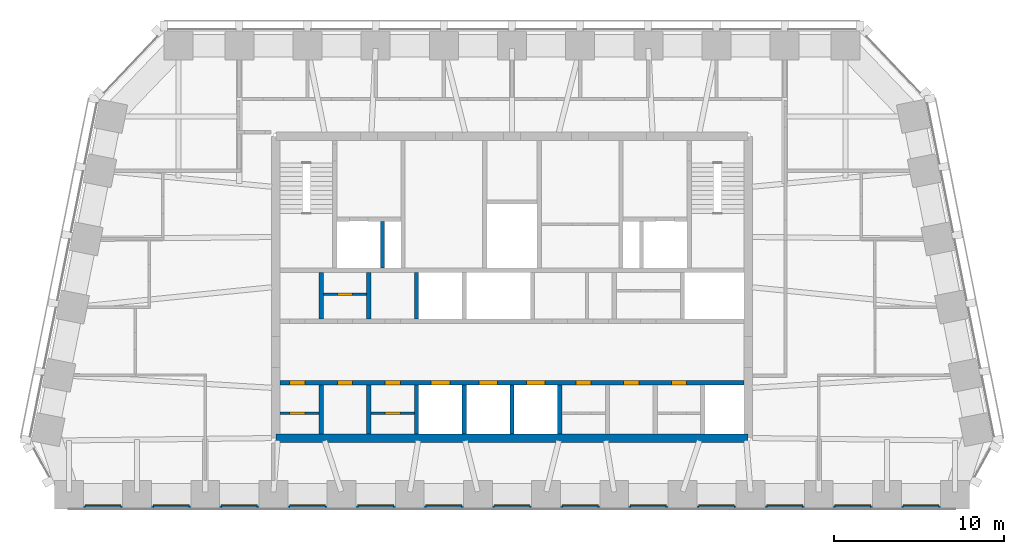
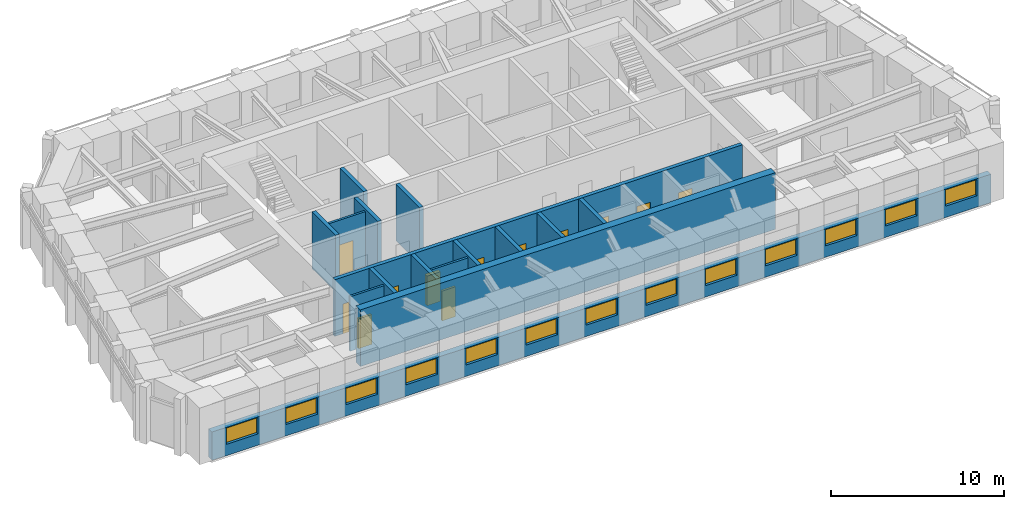
# One storey, part 4 of 9: 16 walls, 13 windows, 12 doors, 25 openings.
"""IFC4 building model written with IfcOpenShell, lengths in metres."""

from ifc_helpers import new_model, si_unit, direction, frame, frame_2d, origin, place, context, subcontext, project, spatial, rectangle, extrude, material, layer, layer_set, type_object, element, fill, save


model = new_model("IFC4")

# Units and contexts
model_context = context("Model", 3, precision=1e-05, world=origin(), true_north=direction((0.0, 1.0)))
body_context = subcontext(model_context, "Body", "Model", "MODEL_VIEW")
ifc_project = project(units=[si_unit("LENGTHUNIT", "METRE"), si_unit("AREAUNIT", "SQUARE_METRE"), si_unit("VOLUMEUNIT", "CUBIC_METRE"), si_unit("PLANEANGLEUNIT", "RADIAN"), si_unit("MASSUNIT", "GRAM", prefix="KILO")], contexts=[model_context])

# Site, building, storey
site_placement = place(None, origin())
site = spatial("IfcSite", under=ifc_project, at=site_placement, CompositionType="ELEMENT")
building_placement = place(site_placement, origin())
building = spatial("IfcBuilding", under=site, at=building_placement, Name="Isbrekke Arena Tower", CompositionType="ELEMENT")
storey_placement = place(building_placement, frame((0.0, 0.0, 312.0)))
storey = spatial("IfcBuildingStorey", under=building, at=storey_placement, Name="L73", CompositionType="ELEMENT", Elevation=312.0)

# Wall
ifc_material_1 = material(Name="Concrete B55 (C55/67)", Category="concrete")
ifc_layer_1 = layer(ifc_material_1, 0.5)
ifc_layer_set_1 = layer_set([ifc_layer_1], Name="CW5 CORE WALL 500")
wall_type_1 = type_object("IfcWallType", Name="CW5 CORE WALL 500", PredefinedType="SHEAR", material=ifc_layer_set_1)
wall_1_placement = place(storey_placement, frame((-13.85009765625, 6.14990234375, 0.0), z_axis=(0.0, 0.0, 1.0), x_axis=(1.0, 0.0, 0.0)))
element("IfcWall", 1, at=wall_1_placement, inside=storey, type_object=wall_type_1, Name="Core wall S L73", PredefinedType="SHEAR", context=body_context, shape_type="SweptSolid", body=[
    extrude(rectangle(XDim=27.7001953125, YDim=0.5, at=frame_2d((13.85009765625, 0.0))), origin(), (0.0, 0.0, 1.0), 4.0),
])

# Wall, openings, doors
ifc_material_2 = material(Name="Concrete B45 (C45/55)", Category="concrete")
ifc_layer_2 = layer(ifc_material_2, 0.25)
ifc_layer_set_2 = layer_set([ifc_layer_2], Name="CW6 SHAFT WALL 250")
wall_type_2 = type_object("IfcWallType", Name="CW6 SHAFT WALL 250", PredefinedType="SHEAR", material=ifc_layer_set_2)
wall_2_placement = place(storey_placement, frame((-13.60009765625, 9.39990234375, 0.0), z_axis=(0.0, 0.0, 1.0), x_axis=(1.0, 0.0, 0.0)))
wall_2 = element("IfcWall", 2, at=wall_2_placement, inside=storey, type_object=wall_type_2, Name="Core wall LS L73", PredefinedType="SHEAR", context=body_context, shape_type="SweptSolid", body=[
    extrude(rectangle(XDim=27.2001953125, YDim=0.25, at=frame_2d((13.60009765625, 0.0))), origin(), (0.0, 0.0, 1.0), 4.0),
])
opening_1_placement = place(wall_2_placement, frame((8.85009765625, 0.0, 0.0)))
opening_1 = element("IfcOpeningElement", 3, at=opening_1_placement, cuts=wall_2, Name="Opening LD1", PredefinedType="OPENING", context=body_context, shape_type="SweptSolid", body=[
    extrude(rectangle(XDim=1.10009765625, YDim=2.10009765625, at=frame_2d((0.550048828125, 1.050048828125))), frame((0.0, 0.139892578125, 0.0), z_axis=(0.0, -1.0, 0.0), x_axis=(1.0, 0.0, 0.0)), (0.0, 0.0, 1.0), 0.27978515625),
])
opening_2_placement = place(wall_2_placement, frame((11.64990234375, 0.0, 0.0)))
opening_2 = element("IfcOpeningElement", 4, at=opening_2_placement, cuts=wall_2, Name="Opening LD1", PredefinedType="OPENING", context=body_context, shape_type="SweptSolid", body=[
    extrude(rectangle(XDim=1.10009765625, YDim=2.10009765625, at=frame_2d((0.550048828125, 1.050048828125))), frame((0.0, 0.139892578125, 0.0), z_axis=(0.0, -1.0, 0.0), x_axis=(1.0, 0.0, 0.0)), (0.0, 0.0, 1.0), 0.27978515625),
])
opening_3_placement = place(wall_2_placement, frame((14.449951171875, 0.0, 0.0)))
opening_3 = element("IfcOpeningElement", 5, at=opening_3_placement, cuts=wall_2, Name="Opening LD1", PredefinedType="OPENING", context=body_context, shape_type="SweptSolid", body=[
    extrude(rectangle(XDim=1.10009765625, YDim=2.10009765625, at=frame_2d((0.550048828125, 1.050048828125))), frame((0.0, 0.139892578125, 0.0), z_axis=(0.0, -1.0, 0.0), x_axis=(1.0, 0.0, 0.0)), (0.0, 0.0, 1.0), 0.27978515625),
])
opening_4_placement = place(wall_2_placement, frame((0.550048828125, 0.0, 0.0)))
opening_4 = element("IfcOpeningElement", 6, at=opening_4_placement, cuts=wall_2, Name="Opening D5", PredefinedType="OPENING", context=body_context, shape_type="SweptSolid", body=[
    extrude(rectangle(XDim=0.89990234375, YDim=2.10009765625, at=frame_2d((0.449951171875, 1.050048828125))), frame((0.0, 0.139892578125, 0.0), z_axis=(0.0, -1.0, 0.0), x_axis=(1.0, 0.0, 0.0)), (0.0, 0.0, 1.0), 0.27978515625),
])
opening_5_placement = place(wall_2_placement, frame((3.35009765625, 0.0, 0.0)))
opening_5 = element("IfcOpeningElement", 7, at=opening_5_placement, cuts=wall_2, Name="Opening D5", PredefinedType="OPENING", context=body_context, shape_type="SweptSolid", body=[
    extrude(rectangle(XDim=0.89990234375, YDim=2.10009765625, at=frame_2d((0.449951171875, 1.050048828125))), frame((0.0, 0.139892578125, 0.0), z_axis=(0.0, -1.0, 0.0), x_axis=(1.0, 0.0, 0.0)), (0.0, 0.0, 1.0), 0.27978515625),
])
opening_6_placement = place(wall_2_placement, frame((6.14990234375, 0.0, 0.0)))
opening_6 = element("IfcOpeningElement", 8, at=opening_6_placement, cuts=wall_2, Name="Opening D5", PredefinedType="OPENING", context=body_context, shape_type="SweptSolid", body=[
    extrude(rectangle(XDim=0.89990234375, YDim=2.10009765625, at=frame_2d((0.449951171875, 1.050048828125))), frame((0.0, 0.139892578125, 0.0), z_axis=(0.0, -1.0, 0.0), x_axis=(1.0, 0.0, 0.0)), (0.0, 0.0, 1.0), 0.27978515625),
])
opening_7_placement = place(wall_2_placement, frame((17.35009765625, 0.0, 0.0)))
opening_7 = element("IfcOpeningElement", 9, at=opening_7_placement, cuts=wall_2, Name="Opening D5", PredefinedType="OPENING", context=body_context, shape_type="SweptSolid", body=[
    extrude(rectangle(XDim=0.89990234375, YDim=2.10009765625, at=frame_2d((0.449951171875, 1.050048828125))), frame((0.0, 0.139892578125, 0.0), z_axis=(0.0, -1.0, 0.0), x_axis=(1.0, 0.0, 0.0)), (0.0, 0.0, 1.0), 0.27978515625),
])
opening_8_placement = place(wall_2_placement, frame((20.14990234375, 0.0, 0.0)))
opening_8 = element("IfcOpeningElement", 10, at=opening_8_placement, cuts=wall_2, Name="Opening D5", PredefinedType="OPENING", context=body_context, shape_type="SweptSolid", body=[
    extrude(rectangle(XDim=0.89990234375, YDim=2.10009765625, at=frame_2d((0.449951171875, 1.050048828125))), frame((0.0, 0.139892578125, 0.0), z_axis=(0.0, -1.0, 0.0), x_axis=(1.0, 0.0, 0.0)), (0.0, 0.0, 1.0), 0.27978515625),
])
opening_9_placement = place(wall_2_placement, frame((22.949951171875, 0.0, 0.0)))
opening_9 = element("IfcOpeningElement", 11, at=opening_9_placement, cuts=wall_2, Name="Opening D5", PredefinedType="OPENING", context=body_context, shape_type="SweptSolid", body=[
    extrude(rectangle(XDim=0.89990234375, YDim=2.10009765625, at=frame_2d((0.449951171875, 1.050048828125))), frame((0.0, 0.139892578125, 0.0), z_axis=(0.0, -1.0, 0.0), x_axis=(1.0, 0.0, 0.0)), (0.0, 0.0, 1.0), 0.27978515625),
])
ifc_material_3 = material(Name="Steel fire door", Category="steel")
door_type_1 = type_object("IfcDoorType", Name="D5 SERVICE DOOR 900 x 2100", OperationType="SINGLE_SWING_LEFT", PredefinedType="DOOR", material=ifc_material_3)
door_1_placement = place(opening_4_placement, origin())
door_1 = element("IfcDoor", 12, at=door_1_placement, inside=storey, type_object=door_type_1, Name="D5 pantry door L73", OperationType="SINGLE_SWING_LEFT", OverallHeight=2.10009765625, OverallWidth=0.89990234375, PredefinedType="DOOR", context=body_context, shape_type="SweptSolid", body=[
    extrude(rectangle(XDim=0.89990234375, YDim=2.10009765625, at=frame_2d((0.449951171875, 1.050048828125))), frame((0.0, 0.124755859375, 0.0), z_axis=(0.0, -1.0, 0.0), x_axis=(1.0, 0.0, 0.0)), (0.0, 0.0, 1.0), 0.24951171875),
])
fill(opening_4, door_1)
door_2_placement = place(opening_5_placement, origin())
door_2 = element("IfcDoor", 13, at=door_2_placement, inside=storey, type_object=door_type_1, Name="D5 tenant store door L73", OperationType="SINGLE_SWING_LEFT", OverallHeight=2.10009765625, OverallWidth=0.89990234375, PredefinedType="DOOR", context=body_context, shape_type="SweptSolid", body=[
    extrude(rectangle(XDim=0.89990234375, YDim=2.10009765625, at=frame_2d((0.449951171875, 1.050048828125))), frame((0.0, 0.124755859375, 0.0), z_axis=(0.0, -1.0, 0.0), x_axis=(1.0, 0.0, 0.0)), (0.0, 0.0, 1.0), 0.24951171875),
])
fill(opening_5, door_2)
door_3_placement = place(opening_6_placement, origin())
door_3 = element("IfcDoor", 14, at=door_3_placement, inside=storey, type_object=door_type_1, Name="D5 first-aid room door L73", OperationType="SINGLE_SWING_LEFT", OverallHeight=2.10009765625, OverallWidth=0.89990234375, PredefinedType="DOOR", context=body_context, shape_type="SweptSolid", body=[
    extrude(rectangle(XDim=0.89990234375, YDim=2.10009765625, at=frame_2d((0.449951171875, 1.050048828125))), frame((0.0, 0.124755859375, 0.0), z_axis=(0.0, -1.0, 0.0), x_axis=(1.0, 0.0, 0.0)), (0.0, 0.0, 1.0), 0.24951171875),
])
fill(opening_6, door_3)
door_4_placement = place(opening_7_placement, origin())
door_4 = element("IfcDoor", 15, at=door_4_placement, inside=storey, type_object=door_type_1, Name="D5 tea point door L73", OperationType="SINGLE_SWING_LEFT", OverallHeight=2.10009765625, OverallWidth=0.89990234375, PredefinedType="DOOR", context=body_context, shape_type="SweptSolid", body=[
    extrude(rectangle(XDim=0.89990234375, YDim=2.10009765625, at=frame_2d((0.449951171875, 1.050048828125))), frame((0.0, 0.124755859375, 0.0), z_axis=(0.0, -1.0, 0.0), x_axis=(1.0, 0.0, 0.0)), (0.0, 0.0, 1.0), 0.24951171875),
])
fill(opening_7, door_4)
door_5_placement = place(opening_8_placement, origin())
door_5 = element("IfcDoor", 16, at=door_5_placement, inside=storey, type_object=door_type_1, Name="D5 print room door L73", OperationType="SINGLE_SWING_LEFT", OverallHeight=2.10009765625, OverallWidth=0.89990234375, PredefinedType="DOOR", context=body_context, shape_type="SweptSolid", body=[
    extrude(rectangle(XDim=0.89990234375, YDim=2.10009765625, at=frame_2d((0.449951171875, 1.050048828125))), frame((0.0, 0.124755859375, 0.0), z_axis=(0.0, -1.0, 0.0), x_axis=(1.0, 0.0, 0.0)), (0.0, 0.0, 1.0), 0.24951171875),
])
fill(opening_8, door_5)
door_6_placement = place(opening_9_placement, origin())
door_6 = element("IfcDoor", 17, at=door_6_placement, inside=storey, type_object=door_type_1, Name="D5 mothers' room door L73", OperationType="SINGLE_SWING_LEFT", OverallHeight=2.10009765625, OverallWidth=0.89990234375, PredefinedType="DOOR", context=body_context, shape_type="SweptSolid", body=[
    extrude(rectangle(XDim=0.89990234375, YDim=2.10009765625, at=frame_2d((0.449951171875, 1.050048828125))), frame((0.0, 0.124755859375, 0.0), z_axis=(0.0, -1.0, 0.0), x_axis=(1.0, 0.0, 0.0)), (0.0, 0.0, 1.0), 0.24951171875),
])
fill(opening_9, door_6)
ifc_material_4 = material(Name="Stainless steel lift landing door", Category="steel")
door_type_2 = type_object("IfcDoorType", Name="LD1 LIFT LANDING DOOR 1100 x 2100", OperationType="SLIDING_TO_LEFT", PredefinedType="DOOR", material=ifc_material_4)
door_7_placement = place(opening_1_placement, origin())
door_7 = element("IfcDoor", 18, at=door_7_placement, inside=storey, type_object=door_type_2, Name="LD1 lift landing door LE L73", OperationType="SLIDING_TO_LEFT", OverallHeight=2.10009765625, OverallWidth=1.10009765625, PredefinedType="DOOR", context=body_context, shape_type="SweptSolid", body=[
    extrude(rectangle(XDim=1.10009765625, YDim=2.10009765625, at=frame_2d((0.550048828125, 1.050048828125))), frame((0.0, 0.124755859375, 0.0), z_axis=(0.0, -1.0, 0.0), x_axis=(1.0, 0.0, 0.0)), (0.0, 0.0, 1.0), 0.24951171875),
])
fill(opening_1, door_7)
door_8_placement = place(opening_2_placement, origin())
door_8 = element("IfcDoor", 19, at=door_8_placement, inside=storey, type_object=door_type_2, Name="LD1 lift landing door LE L73", OperationType="SLIDING_TO_LEFT", OverallHeight=2.10009765625, OverallWidth=1.10009765625, PredefinedType="DOOR", context=body_context, shape_type="SweptSolid", body=[
    extrude(rectangle(XDim=1.10009765625, YDim=2.10009765625, at=frame_2d((0.550048828125, 1.050048828125))), frame((0.0, 0.124755859375, 0.0), z_axis=(0.0, -1.0, 0.0), x_axis=(1.0, 0.0, 0.0)), (0.0, 0.0, 1.0), 0.24951171875),
])
fill(opening_2, door_8)
door_9_placement = place(opening_3_placement, origin())
door_9 = element("IfcDoor", 20, at=door_9_placement, inside=storey, type_object=door_type_2, Name="LD1 lift landing door LE L73", OperationType="SLIDING_TO_LEFT", OverallHeight=2.10009765625, OverallWidth=1.10009765625, PredefinedType="DOOR", context=body_context, shape_type="SweptSolid", body=[
    extrude(rectangle(XDim=1.10009765625, YDim=2.10009765625, at=frame_2d((0.550048828125, 1.050048828125))), frame((0.0, 0.124755859375, 0.0), z_axis=(0.0, -1.0, 0.0), x_axis=(1.0, 0.0, 0.0)), (0.0, 0.0, 1.0), 0.24951171875),
])
fill(opening_3, door_9)

# Walls
for number, where, z_axis, x_axis, name in (
    (21, (-11.199951171875, 6.39990234375, 0.0), (0.0, 0.0, 1.0), (0.0, 1.0, 0.0), "Core wall SS01 L73"),
    (22, (-8.39990234375, 6.39990234375, 0.0), (0.0, 0.0, 1.0), (0.0, 1.0, 0.0), "Core wall SS02 L73"),
    (23, (-5.60009765625, 6.39990234375, 0.0), (0.0, 0.0, 1.0), (0.0, 1.0, 0.0), "Core wall SS03 L73"),
    (24, (-2.800048828125, 6.39990234375, 0.0), (0.0, 0.0, 1.0), (0.0, 1.0, 0.0), "Core wall SS04 L73"),
    (25, (0.0, 6.39990234375, 0.0), (0.0, 0.0, 1.0), (0.0, 1.0, 0.0), "Core wall SS05 L73"),
    (26, (2.800048828125, 6.39990234375, 0.0), (0.0, 0.0, 1.0), (0.0, 1.0, 0.0), "Core wall SS06 L73"),
):
    element("IfcWall", number, at=place(storey_placement, frame(where, z_axis=z_axis, x_axis=x_axis)), inside=storey, type_object=wall_type_2, Name=name, PredefinedType="SHEAR", context=body_context, shape_type="SweptSolid", body=[
        extrude(rectangle(XDim=2.875, YDim=0.25, at=frame_2d((1.4375, 0.0))), origin(), (0.0, 0.0, 1.0), 4.0),
    ])
for number, where, z_axis, x_axis, name in (
    (27, (-11.199951171875, 13.125, 0.0), (0.0, 0.0, 1.0), (0.0, 1.0, 0.0), "Core wall SN01 L73"),
    (28, (-8.39990234375, 13.125, 0.0), (0.0, 0.0, 1.0), (0.0, 1.0, 0.0), "Core wall SN02 L73"),
    (29, (-5.60009765625, 13.125, 0.0), (0.0, 0.0, 1.0), (0.0, 1.0, 0.0), "Core wall SN03 L73"),
    (30, (-7.60009765625, 16.125, 0.0), (0.0, 0.0, 1.0), (0.0, 1.0, 0.0), "Core wall NFS1 L73"),
):
    element("IfcWall", number, at=place(storey_placement, frame(where, z_axis=z_axis, x_axis=x_axis)), inside=storey, type_object=wall_type_2, Name=name, PredefinedType="SHEAR", context=body_context, shape_type="SweptSolid", body=[
        extrude(rectangle(XDim=2.75, YDim=0.25, at=frame_2d((1.375, 0.0))), origin(), (0.0, 0.0, 1.0), 4.0),
    ])

# Wall, openings, windows
ifc_material_5 = material(Name="Copper cladding on insulated framing", Category="metal")
ifc_layer_3 = layer(ifc_material_5, 0.39990234375)
ifc_layer_set_3 = layer_set([ifc_layer_3], Name="EW2 COPPER-CLAD WALL 400")
wall_type_3 = type_object("IfcWallType", Name="EW2 COPPER-CLAD WALL 400", PredefinedType="SOLIDWALL", material=ifc_layer_set_3)
wall_3_placement = place(storey_placement, frame((-26.0, 2.199951171875, 0.0), z_axis=(0.0, 0.0, 1.0), x_axis=(1.0, 0.0, 0.0)))
wall_3 = element("IfcWall", 31, at=wall_3_placement, inside=storey, type_object=wall_type_3, Name="EW2 terrace wall L73", PredefinedType="SOLIDWALL", context=body_context, shape_type="SweptSolid", body=[
    extrude(rectangle(XDim=52.0, YDim=0.39990234375, at=frame_2d((26.0, 0.0))), origin(), (0.0, 0.0, 1.0), 2.0),
])
opening_10_placement = place(wall_3_placement, frame((0.949951171875, 0.0, 0.800048828125)))
opening_10 = element("IfcOpeningElement", 32, at=opening_10_placement, cuts=wall_3, Name="Opening WN1", PredefinedType="OPENING", context=body_context, shape_type="SweptSolid", body=[
    extrude(rectangle(XDim=2.10009765625, YDim=1.14990234375, at=frame_2d((1.050048828125, 0.574951171875))), frame((0.0, 0.21484375, 0.0), z_axis=(0.0, -1.0, 0.0), x_axis=(1.0, 0.0, 0.0)), (0.0, 0.0, 1.0), 0.4296875),
])
opening_11_placement = place(wall_3_placement, frame((4.949951171875, 0.0, 0.800048828125)))
opening_11 = element("IfcOpeningElement", 33, at=opening_11_placement, cuts=wall_3, Name="Opening WN1", PredefinedType="OPENING", context=body_context, shape_type="SweptSolid", body=[
    extrude(rectangle(XDim=2.10009765625, YDim=1.14990234375, at=frame_2d((1.050048828125, 0.574951171875))), frame((0.0, 0.21484375, 0.0), z_axis=(0.0, -1.0, 0.0), x_axis=(1.0, 0.0, 0.0)), (0.0, 0.0, 1.0), 0.4296875),
])
opening_12_placement = place(wall_3_placement, frame((8.949951171875, 0.0, 0.800048828125)))
opening_12 = element("IfcOpeningElement", 34, at=opening_12_placement, cuts=wall_3, Name="Opening WN1", PredefinedType="OPENING", context=body_context, shape_type="SweptSolid", body=[
    extrude(rectangle(XDim=2.10009765625, YDim=1.14990234375, at=frame_2d((1.050048828125, 0.574951171875))), frame((0.0, 0.21484375, 0.0), z_axis=(0.0, -1.0, 0.0), x_axis=(1.0, 0.0, 0.0)), (0.0, 0.0, 1.0), 0.4296875),
])
opening_13_placement = place(wall_3_placement, frame((12.949951171875, 0.0, 0.800048828125)))
opening_13 = element("IfcOpeningElement", 35, at=opening_13_placement, cuts=wall_3, Name="Opening WN1", PredefinedType="OPENING", context=body_context, shape_type="SweptSolid", body=[
    extrude(rectangle(XDim=2.10009765625, YDim=1.14990234375, at=frame_2d((1.050048828125, 0.574951171875))), frame((0.0, 0.21484375, 0.0), z_axis=(0.0, -1.0, 0.0), x_axis=(1.0, 0.0, 0.0)), (0.0, 0.0, 1.0), 0.4296875),
])
opening_14_placement = place(wall_3_placement, frame((16.949951171875, 0.0, 0.800048828125)))
opening_14 = element("IfcOpeningElement", 36, at=opening_14_placement, cuts=wall_3, Name="Opening WN1", PredefinedType="OPENING", context=body_context, shape_type="SweptSolid", body=[
    extrude(rectangle(XDim=2.10009765625, YDim=1.14990234375, at=frame_2d((1.050048828125, 0.574951171875))), frame((0.0, 0.21484375, 0.0), z_axis=(0.0, -1.0, 0.0), x_axis=(1.0, 0.0, 0.0)), (0.0, 0.0, 1.0), 0.4296875),
])
opening_15_placement = place(wall_3_placement, frame((20.949951171875, 0.0, 0.800048828125)))
opening_15 = element("IfcOpeningElement", 37, at=opening_15_placement, cuts=wall_3, Name="Opening WN1", PredefinedType="OPENING", context=body_context, shape_type="SweptSolid", body=[
    extrude(rectangle(XDim=2.10009765625, YDim=1.14990234375, at=frame_2d((1.050048828125, 0.574951171875))), frame((0.0, 0.21484375, 0.0), z_axis=(0.0, -1.0, 0.0), x_axis=(1.0, 0.0, 0.0)), (0.0, 0.0, 1.0), 0.4296875),
])
opening_16_placement = place(wall_3_placement, frame((24.949951171875, 0.0, 0.800048828125)))
opening_16 = element("IfcOpeningElement", 38, at=opening_16_placement, cuts=wall_3, Name="Opening WN1", PredefinedType="OPENING", context=body_context, shape_type="SweptSolid", body=[
    extrude(rectangle(XDim=2.10009765625, YDim=1.14990234375, at=frame_2d((1.050048828125, 0.574951171875))), frame((0.0, 0.21484375, 0.0), z_axis=(0.0, -1.0, 0.0), x_axis=(1.0, 0.0, 0.0)), (0.0, 0.0, 1.0), 0.4296875),
])
opening_17_placement = place(wall_3_placement, frame((28.949951171875, 0.0, 0.800048828125)))
opening_17 = element("IfcOpeningElement", 39, at=opening_17_placement, cuts=wall_3, Name="Opening WN1", PredefinedType="OPENING", context=body_context, shape_type="SweptSolid", body=[
    extrude(rectangle(XDim=2.10009765625, YDim=1.14990234375, at=frame_2d((1.050048828125, 0.574951171875))), frame((0.0, 0.21484375, 0.0), z_axis=(0.0, -1.0, 0.0), x_axis=(1.0, 0.0, 0.0)), (0.0, 0.0, 1.0), 0.4296875),
])
opening_18_placement = place(wall_3_placement, frame((32.949951171875, 0.0, 0.800048828125)))
opening_18 = element("IfcOpeningElement", 40, at=opening_18_placement, cuts=wall_3, Name="Opening WN1", PredefinedType="OPENING", context=body_context, shape_type="SweptSolid", body=[
    extrude(rectangle(XDim=2.10009765625, YDim=1.14990234375, at=frame_2d((1.050048828125, 0.574951171875))), frame((0.0, 0.21484375, 0.0), z_axis=(0.0, -1.0, 0.0), x_axis=(1.0, 0.0, 0.0)), (0.0, 0.0, 1.0), 0.4296875),
])
opening_19_placement = place(wall_3_placement, frame((36.949951171875, 0.0, 0.800048828125)))
opening_19 = element("IfcOpeningElement", 41, at=opening_19_placement, cuts=wall_3, Name="Opening WN1", PredefinedType="OPENING", context=body_context, shape_type="SweptSolid", body=[
    extrude(rectangle(XDim=2.10009765625, YDim=1.14990234375, at=frame_2d((1.050048828125, 0.574951171875))), frame((0.0, 0.21484375, 0.0), z_axis=(0.0, -1.0, 0.0), x_axis=(1.0, 0.0, 0.0)), (0.0, 0.0, 1.0), 0.4296875),
])
opening_20_placement = place(wall_3_placement, frame((40.949951171875, 0.0, 0.800048828125)))
opening_20 = element("IfcOpeningElement", 42, at=opening_20_placement, cuts=wall_3, Name="Opening WN1", PredefinedType="OPENING", context=body_context, shape_type="SweptSolid", body=[
    extrude(rectangle(XDim=2.10009765625, YDim=1.14990234375, at=frame_2d((1.050048828125, 0.574951171875))), frame((0.0, 0.21484375, 0.0), z_axis=(0.0, -1.0, 0.0), x_axis=(1.0, 0.0, 0.0)), (0.0, 0.0, 1.0), 0.4296875),
])
opening_21_placement = place(wall_3_placement, frame((44.949951171875, 0.0, 0.800048828125)))
opening_21 = element("IfcOpeningElement", 43, at=opening_21_placement, cuts=wall_3, Name="Opening WN1", PredefinedType="OPENING", context=body_context, shape_type="SweptSolid", body=[
    extrude(rectangle(XDim=2.10009765625, YDim=1.14990234375, at=frame_2d((1.050048828125, 0.574951171875))), frame((0.0, 0.21484375, 0.0), z_axis=(0.0, -1.0, 0.0), x_axis=(1.0, 0.0, 0.0)), (0.0, 0.0, 1.0), 0.4296875),
])
opening_22_placement = place(wall_3_placement, frame((48.949951171875, 0.0, 0.800048828125)))
opening_22 = element("IfcOpeningElement", 44, at=opening_22_placement, cuts=wall_3, Name="Opening WN1", PredefinedType="OPENING", context=body_context, shape_type="SweptSolid", body=[
    extrude(rectangle(XDim=2.10009765625, YDim=1.14990234375, at=frame_2d((1.050048828125, 0.574951171875))), frame((0.0, 0.21484375, 0.0), z_axis=(0.0, -1.0, 0.0), x_axis=(1.0, 0.0, 0.0)), (0.0, 0.0, 1.0), 0.4296875),
])
ifc_material_6 = material(Name="Timber-aluminium window, triple glazed", Category="wood")
window_type = type_object("IfcWindowType", Name="WN1 TERRACE WINDOW 2100 x 1150", PartitioningType="SINGLE_PANEL", PredefinedType="WINDOW", material=ifc_material_6)
window_1_placement = place(opening_10_placement, origin())
window_1 = element("IfcWindow", 45, at=window_1_placement, inside=storey, type_object=window_type, Name="WN1 terrace window L73-1", OverallHeight=1.14990234375, OverallWidth=2.10009765625, PartitioningType="SINGLE_PANEL", PredefinedType="WINDOW", context=body_context, shape_type="SweptSolid", body=[
    extrude(rectangle(XDim=2.10009765625, YDim=1.14990234375, at=frame_2d((1.050048828125, 0.574951171875))), frame((0.0, 0.030029296875, 0.0), z_axis=(0.0, -1.0, 0.0), x_axis=(1.0, 0.0, 0.0)), (0.0, 0.0, 1.0), 0.06005859375),
])
fill(opening_10, window_1)
window_2_placement = place(opening_11_placement, origin())
window_2 = element("IfcWindow", 46, at=window_2_placement, inside=storey, type_object=window_type, Name="WN1 terrace window L73-2", OverallHeight=1.14990234375, OverallWidth=2.10009765625, PartitioningType="SINGLE_PANEL", PredefinedType="WINDOW", context=body_context, shape_type="SweptSolid", body=[
    extrude(rectangle(XDim=2.10009765625, YDim=1.14990234375, at=frame_2d((1.050048828125, 0.574951171875))), frame((0.0, 0.030029296875, 0.0), z_axis=(0.0, -1.0, 0.0), x_axis=(1.0, 0.0, 0.0)), (0.0, 0.0, 1.0), 0.06005859375),
])
fill(opening_11, window_2)
window_3_placement = place(opening_12_placement, origin())
window_3 = element("IfcWindow", 47, at=window_3_placement, inside=storey, type_object=window_type, Name="WN1 terrace window L73-3", OverallHeight=1.14990234375, OverallWidth=2.10009765625, PartitioningType="SINGLE_PANEL", PredefinedType="WINDOW", context=body_context, shape_type="SweptSolid", body=[
    extrude(rectangle(XDim=2.10009765625, YDim=1.14990234375, at=frame_2d((1.050048828125, 0.574951171875))), frame((0.0, 0.030029296875, 0.0), z_axis=(0.0, -1.0, 0.0), x_axis=(1.0, 0.0, 0.0)), (0.0, 0.0, 1.0), 0.06005859375),
])
fill(opening_12, window_3)
window_4_placement = place(opening_13_placement, origin())
window_4 = element("IfcWindow", 48, at=window_4_placement, inside=storey, type_object=window_type, Name="WN1 terrace window L73-4", OverallHeight=1.14990234375, OverallWidth=2.10009765625, PartitioningType="SINGLE_PANEL", PredefinedType="WINDOW", context=body_context, shape_type="SweptSolid", body=[
    extrude(rectangle(XDim=2.10009765625, YDim=1.14990234375, at=frame_2d((1.050048828125, 0.574951171875))), frame((0.0, 0.030029296875, 0.0), z_axis=(0.0, -1.0, 0.0), x_axis=(1.0, 0.0, 0.0)), (0.0, 0.0, 1.0), 0.06005859375),
])
fill(opening_13, window_4)
window_5_placement = place(opening_14_placement, origin())
window_5 = element("IfcWindow", 49, at=window_5_placement, inside=storey, type_object=window_type, Name="WN1 terrace window L73-5", OverallHeight=1.14990234375, OverallWidth=2.10009765625, PartitioningType="SINGLE_PANEL", PredefinedType="WINDOW", context=body_context, shape_type="SweptSolid", body=[
    extrude(rectangle(XDim=2.10009765625, YDim=1.14990234375, at=frame_2d((1.050048828125, 0.574951171875))), frame((0.0, 0.030029296875, 0.0), z_axis=(0.0, -1.0, 0.0), x_axis=(1.0, 0.0, 0.0)), (0.0, 0.0, 1.0), 0.06005859375),
])
fill(opening_14, window_5)
window_6_placement = place(opening_15_placement, origin())
window_6 = element("IfcWindow", 50, at=window_6_placement, inside=storey, type_object=window_type, Name="WN1 terrace window L73-6", OverallHeight=1.14990234375, OverallWidth=2.10009765625, PartitioningType="SINGLE_PANEL", PredefinedType="WINDOW", context=body_context, shape_type="SweptSolid", body=[
    extrude(rectangle(XDim=2.10009765625, YDim=1.14990234375, at=frame_2d((1.050048828125, 0.574951171875))), frame((0.0, 0.030029296875, 0.0), z_axis=(0.0, -1.0, 0.0), x_axis=(1.0, 0.0, 0.0)), (0.0, 0.0, 1.0), 0.06005859375),
])
fill(opening_15, window_6)
window_7_placement = place(opening_16_placement, origin())
window_7 = element("IfcWindow", 51, at=window_7_placement, inside=storey, type_object=window_type, Name="WN1 terrace window L73-7", OverallHeight=1.14990234375, OverallWidth=2.10009765625, PartitioningType="SINGLE_PANEL", PredefinedType="WINDOW", context=body_context, shape_type="SweptSolid", body=[
    extrude(rectangle(XDim=2.10009765625, YDim=1.14990234375, at=frame_2d((1.050048828125, 0.574951171875))), frame((0.0, 0.030029296875, 0.0), z_axis=(0.0, -1.0, 0.0), x_axis=(1.0, 0.0, 0.0)), (0.0, 0.0, 1.0), 0.06005859375),
])
fill(opening_16, window_7)
window_8_placement = place(opening_17_placement, origin())
window_8 = element("IfcWindow", 52, at=window_8_placement, inside=storey, type_object=window_type, Name="WN1 terrace window L73-8", OverallHeight=1.14990234375, OverallWidth=2.10009765625, PartitioningType="SINGLE_PANEL", PredefinedType="WINDOW", context=body_context, shape_type="SweptSolid", body=[
    extrude(rectangle(XDim=2.10009765625, YDim=1.14990234375, at=frame_2d((1.050048828125, 0.574951171875))), frame((0.0, 0.030029296875, 0.0), z_axis=(0.0, -1.0, 0.0), x_axis=(1.0, 0.0, 0.0)), (0.0, 0.0, 1.0), 0.06005859375),
])
fill(opening_17, window_8)
window_9_placement = place(opening_18_placement, origin())
window_9 = element("IfcWindow", 53, at=window_9_placement, inside=storey, type_object=window_type, Name="WN1 terrace window L73-9", OverallHeight=1.14990234375, OverallWidth=2.10009765625, PartitioningType="SINGLE_PANEL", PredefinedType="WINDOW", context=body_context, shape_type="SweptSolid", body=[
    extrude(rectangle(XDim=2.10009765625, YDim=1.14990234375, at=frame_2d((1.050048828125, 0.574951171875))), frame((0.0, 0.030029296875, 0.0), z_axis=(0.0, -1.0, 0.0), x_axis=(1.0, 0.0, 0.0)), (0.0, 0.0, 1.0), 0.06005859375),
])
fill(opening_18, window_9)
window_10_placement = place(opening_19_placement, origin())
window_10 = element("IfcWindow", 54, at=window_10_placement, inside=storey, type_object=window_type, Name="WN1 terrace window L73-10", OverallHeight=1.14990234375, OverallWidth=2.10009765625, PartitioningType="SINGLE_PANEL", PredefinedType="WINDOW", context=body_context, shape_type="SweptSolid", body=[
    extrude(rectangle(XDim=2.10009765625, YDim=1.14990234375, at=frame_2d((1.050048828125, 0.574951171875))), frame((0.0, 0.030029296875, 0.0), z_axis=(0.0, -1.0, 0.0), x_axis=(1.0, 0.0, 0.0)), (0.0, 0.0, 1.0), 0.06005859375),
])
fill(opening_19, window_10)
window_11_placement = place(opening_20_placement, origin())
window_11 = element("IfcWindow", 55, at=window_11_placement, inside=storey, type_object=window_type, Name="WN1 terrace window L73-11", OverallHeight=1.14990234375, OverallWidth=2.10009765625, PartitioningType="SINGLE_PANEL", PredefinedType="WINDOW", context=body_context, shape_type="SweptSolid", body=[
    extrude(rectangle(XDim=2.10009765625, YDim=1.14990234375, at=frame_2d((1.050048828125, 0.574951171875))), frame((0.0, 0.030029296875, 0.0), z_axis=(0.0, -1.0, 0.0), x_axis=(1.0, 0.0, 0.0)), (0.0, 0.0, 1.0), 0.06005859375),
])
fill(opening_20, window_11)
window_12_placement = place(opening_21_placement, origin())
window_12 = element("IfcWindow", 56, at=window_12_placement, inside=storey, type_object=window_type, Name="WN1 terrace window L73-12", OverallHeight=1.14990234375, OverallWidth=2.10009765625, PartitioningType="SINGLE_PANEL", PredefinedType="WINDOW", context=body_context, shape_type="SweptSolid", body=[
    extrude(rectangle(XDim=2.10009765625, YDim=1.14990234375, at=frame_2d((1.050048828125, 0.574951171875))), frame((0.0, 0.030029296875, 0.0), z_axis=(0.0, -1.0, 0.0), x_axis=(1.0, 0.0, 0.0)), (0.0, 0.0, 1.0), 0.06005859375),
])
fill(opening_21, window_12)
window_13_placement = place(opening_22_placement, origin())
window_13 = element("IfcWindow", 57, at=window_13_placement, inside=storey, type_object=window_type, Name="WN1 terrace window L73-13", OverallHeight=1.14990234375, OverallWidth=2.10009765625, PartitioningType="SINGLE_PANEL", PredefinedType="WINDOW", context=body_context, shape_type="SweptSolid", body=[
    extrude(rectangle(XDim=2.10009765625, YDim=1.14990234375, at=frame_2d((1.050048828125, 0.574951171875))), frame((0.0, 0.030029296875, 0.0), z_axis=(0.0, -1.0, 0.0), x_axis=(1.0, 0.0, 0.0)), (0.0, 0.0, 1.0), 0.06005859375),
])
fill(opening_22, window_13)

# Wall, opening, door
ifc_material_7 = material(Name="Gypsum board fire-rated partition on steel studs, two layers each side", Category="steel")
ifc_layer_4 = layer(ifc_material_7, 0.14990234375)
ifc_layer_set_4 = layer_set([ifc_layer_4], Name="IW5 FIRE-RATED PARTITION 150")
wall_type_4 = type_object("IfcWallType", Name="IW5 FIRE-RATED PARTITION 150", PredefinedType="PARTITIONING", material=ifc_layer_set_4)
wall_4_placement = place(storey_placement, frame((-11.074951171875, 14.60009765625, 0.0), z_axis=(0.0, 0.0, 1.0), x_axis=(1.0, 0.0, 0.0)))
wall_4 = element("IfcWall", 58, at=wall_4_placement, inside=storey, type_object=wall_type_4, Name="IW5 fire-rated partition L73 core service rooms 3", PredefinedType="PARTITIONING", context=body_context, shape_type="SweptSolid", body=[
    extrude(rectangle(XDim=2.550048828125, YDim=0.14990234375, at=frame_2d((1.27490234375, 0.0))), origin(), (0.0, 0.0, 1.0), 3.85009765625),
])
opening_23_placement = place(wall_4_placement, frame((0.824951171875, 0.0, 0.0)))
opening_23 = element("IfcOpeningElement", 59, at=opening_23_placement, cuts=wall_4, Name="Opening D5", PredefinedType="OPENING", context=body_context, shape_type="SweptSolid", body=[
    extrude(rectangle(XDim=0.89990234375, YDim=2.10009765625, at=frame_2d((0.449951171875, 1.050048828125))), frame((0.0, 0.08984375, 0.0), z_axis=(0.0, -1.0, 0.0), x_axis=(1.0, 0.0, 0.0)), (0.0, 0.0, 1.0), 0.1796875),
])
door_10_placement = place(opening_23_placement, origin())
door_10 = element("IfcDoor", 60, at=door_10_placement, inside=storey, type_object=door_type_1, Name="D5 store door L73", OperationType="SINGLE_SWING_LEFT", OverallHeight=2.10009765625, OverallWidth=0.89990234375, PredefinedType="DOOR", context=body_context, shape_type="SweptSolid", body=[
    extrude(rectangle(XDim=0.89990234375, YDim=2.10009765625, at=frame_2d((0.449951171875, 1.050048828125))), frame((0.0, 0.07470703125, 0.0), z_axis=(0.0, -1.0, 0.0), x_axis=(1.0, 0.0, 0.0)), (0.0, 0.0, 1.0), 0.1494140625),
])
fill(opening_23, door_10)

wall_5_placement = place(storey_placement, frame((-13.60009765625, 7.60009765625, 0.0), z_axis=(0.0, 0.0, 1.0), x_axis=(1.0, 0.0, 0.0)))
wall_5 = element("IfcWall", 61, at=wall_5_placement, inside=storey, type_object=wall_type_4, Name="IW5 fire-rated partition L73 core service rooms 4", PredefinedType="PARTITIONING", context=body_context, shape_type="SweptSolid", body=[
    extrude(rectangle(XDim=2.275146484375, YDim=0.14990234375, at=frame_2d((1.1376953125, 0.0))), origin(), (0.0, 0.0, 1.0), 3.85009765625),
])
opening_24_placement = place(wall_5_placement, frame((0.550048828125, 0.0, 0.0)))
opening_24 = element("IfcOpeningElement", 62, at=opening_24_placement, cuts=wall_5, Name="Opening D5", PredefinedType="OPENING", context=body_context, shape_type="SweptSolid", body=[
    extrude(rectangle(XDim=0.89990234375, YDim=2.10009765625, at=frame_2d((0.449951171875, 1.050048828125))), frame((0.0, 0.08984375, 0.0), z_axis=(0.0, -1.0, 0.0), x_axis=(1.0, 0.0, 0.0)), (0.0, 0.0, 1.0), 0.1796875),
])
door_11_placement = place(opening_24_placement, origin())
door_11 = element("IfcDoor", 63, at=door_11_placement, inside=storey, type_object=door_type_1, Name="D5 archive door L73", OperationType="SINGLE_SWING_LEFT", OverallHeight=2.10009765625, OverallWidth=0.89990234375, PredefinedType="DOOR", context=body_context, shape_type="SweptSolid", body=[
    extrude(rectangle(XDim=0.89990234375, YDim=2.10009765625, at=frame_2d((0.449951171875, 1.050048828125))), frame((0.0, 0.07470703125, 0.0), z_axis=(0.0, -1.0, 0.0), x_axis=(1.0, 0.0, 0.0)), (0.0, 0.0, 1.0), 0.1494140625),
])
fill(opening_24, door_11)

wall_6_placement = place(storey_placement, frame((-8.27490234375, 7.60009765625, 0.0), z_axis=(0.0, 0.0, 1.0), x_axis=(1.0, 0.0, 0.0)))
wall_6 = element("IfcWall", 64, at=wall_6_placement, inside=storey, type_object=wall_type_4, Name="IW5 fire-rated partition L73 core service rooms 5", PredefinedType="PARTITIONING", context=body_context, shape_type="SweptSolid", body=[
    extrude(rectangle(XDim=2.5498046875, YDim=0.14990234375, at=frame_2d((1.27490234375, 0.0))), origin(), (0.0, 0.0, 1.0), 3.85009765625),
])
opening_25_placement = place(wall_6_placement, frame((0.824951171875, 0.0, 0.0)))
opening_25 = element("IfcOpeningElement", 65, at=opening_25_placement, cuts=wall_6, Name="Opening D5", PredefinedType="OPENING", context=body_context, shape_type="SweptSolid", body=[
    extrude(rectangle(XDim=0.89990234375, YDim=2.10009765625, at=frame_2d((0.449951171875, 1.050048828125))), frame((0.0, 0.08984375, 0.0), z_axis=(0.0, -1.0, 0.0), x_axis=(1.0, 0.0, 0.0)), (0.0, 0.0, 1.0), 0.1796875),
])
door_12_placement = place(opening_25_placement, origin())
door_12 = element("IfcDoor", 66, at=door_12_placement, inside=storey, type_object=door_type_1, Name="D5 tenant store door L73", OperationType="SINGLE_SWING_LEFT", OverallHeight=2.10009765625, OverallWidth=0.89990234375, PredefinedType="DOOR", context=body_context, shape_type="SweptSolid", body=[
    extrude(rectangle(XDim=0.89990234375, YDim=2.10009765625, at=frame_2d((0.449951171875, 1.050048828125))), frame((0.0, 0.07470703125, 0.0), z_axis=(0.0, -1.0, 0.0), x_axis=(1.0, 0.0, 0.0)), (0.0, 0.0, 1.0), 0.1494140625),
])
fill(opening_25, door_12)

save(model, "model.ifc")
